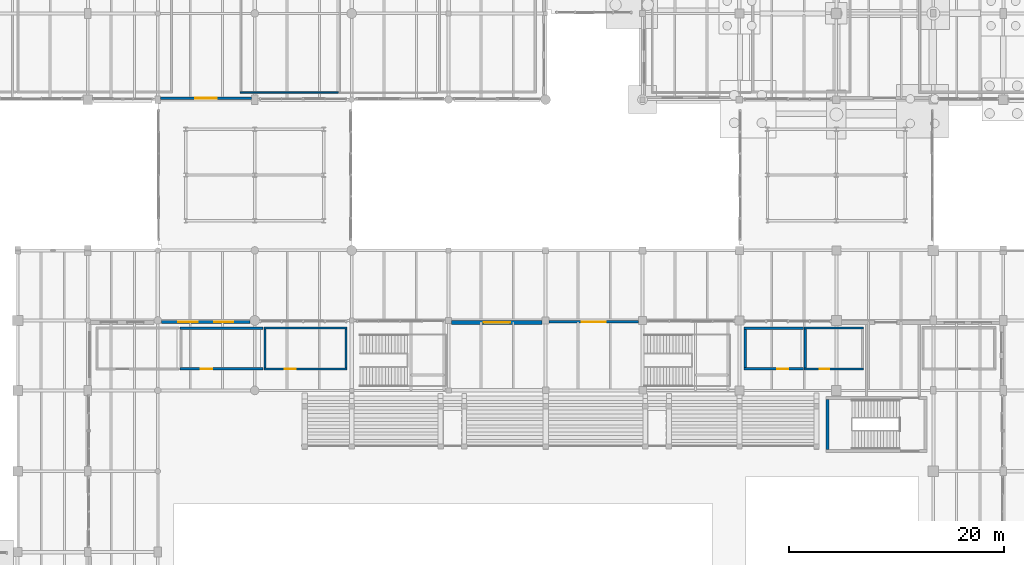
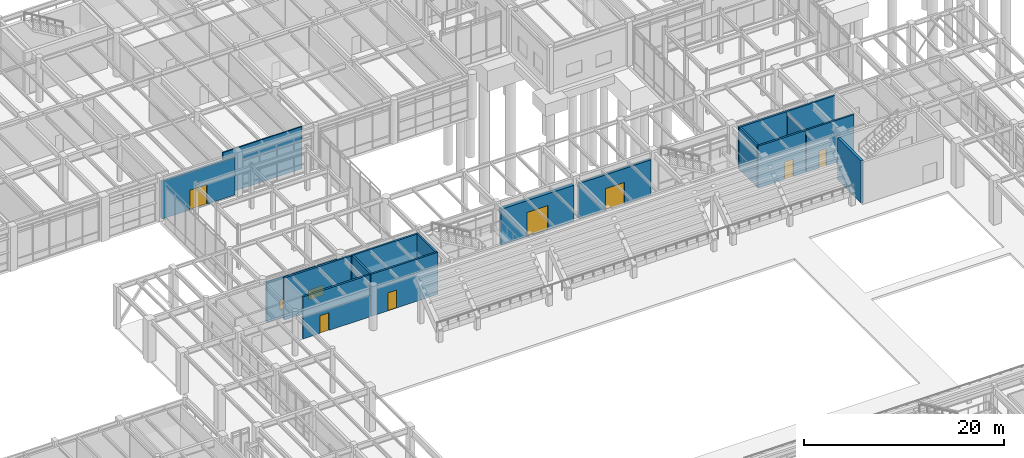
# One storey, part 176 of 203: 18 walls, 7 doors, 2 windows, 9 openings.
"""IFC4 building model written with IfcOpenShell, lengths in metres."""

from ifc_helpers import new_model, si_unit, direction, frame, frame_2d, origin, place, context, subcontext, project, spatial, rectangle, extrude, material, layer, layer_set, type_object, element, fill, save


model = new_model("IFC4")

# Units and contexts
model_context = context("Model", 3, precision=1e-05, world=origin(), true_north=direction((0.0, 1.0)))
body_context = subcontext(model_context, "Body", "Model", "MODEL_VIEW")
ifc_project = project(units=[si_unit("LENGTHUNIT", "METRE"), si_unit("AREAUNIT", "SQUARE_METRE"), si_unit("VOLUMEUNIT", "CUBIC_METRE"), si_unit("PLANEANGLEUNIT", "RADIAN"), si_unit("MASSUNIT", "GRAM", prefix="KILO"), si_unit("THERMODYNAMICTEMPERATUREUNIT", "KELVIN"), si_unit("POWERUNIT", "WATT")], contexts=[model_context])

# Site, building, storey
site_placement = place(None, origin())
site = spatial("IfcSite", under=ifc_project, at=site_placement, CompositionType="ELEMENT")
building_placement = place(site_placement, origin())
building = spatial("IfcBuilding", under=site, at=building_placement, Name="Tepalcoro Natatorium and Aquatics Centre", CompositionType="ELEMENT")
storey_placement = place(building_placement, origin())
storey = spatial("IfcBuildingStorey", under=building, at=storey_placement, Name="L00", CompositionType="ELEMENT", Elevation=0.0)

# Wall, opening, door
ifc_material_1 = material(Name="Precast Concrete C45/55 (fc 45 MPa)", Category="concrete")
ifc_layer_1 = layer(ifc_material_1, 0.260009765625)
ifc_layer_set_1 = layer_set([ifc_layer_1], Name="Precast Concrete C45/55 (fc 45 MPa)")
wall_type_1 = type_object("IfcWallType", Name="WL_EXT_GABLE_260", PredefinedType="SOLIDWALL", material=ifc_layer_set_1)
wall_1_placement = place(storey_placement, frame((89.3291015625, 65.3701171875, 0.0), z_axis=(0.0, 0.0, 1.0), x_axis=(1.0, 0.0, 0.0)))
wall_1 = element("IfcWall", 1, at=wall_1_placement, inside=storey, type_object=wall_type_1, Name="V1 L00 N Volcanic Basalt Envelope Wall", PredefinedType="SOLIDWALL", context=body_context, shape_type="SweptSolid", body=[
    extrude(rectangle(XDim=8.2919921875, YDim=0.260009765625, at=frame_2d((4.14599609375, 0.0))), origin(), (0.0, 0.0, 1.0), 4.2900390625),
])
opening_1_placement = place(wall_1_placement, frame((3.0458984375, 0.0, 0.0)))
opening_1 = element("IfcOpeningElement", 2, at=opening_1_placement, cuts=wall_1, Name="Opening ED5005", PredefinedType="OPENING", context=body_context, shape_type="SweptSolid", body=[
    extrude(rectangle(XDim=2.199951171875, YDim=2.60009765625, at=frame_2d((1.10009765625, 1.300048828125))), frame((0.0, 0.14208984375, 0.0), z_axis=(0.0, -1.0, 0.0), x_axis=(1.0, 0.0, 0.0)), (0.0, 0.0, 1.0), 0.283935546875),
])
ifc_material_2 = material(Name="Bronze-Anodised Extruded Aluminium Alloy EN AW-6063 T6", Category="aluminium")
door_type_1 = type_object("IfcDoorType", Name="DR_220x260_EXT", OperationType="NOTDEFINED", PredefinedType="DOOR", material=ifc_material_2)
door_1_placement = place(opening_1_placement, origin())
door_1 = element("IfcDoor", 3, at=door_1_placement, inside=storey, type_object=door_type_1, Name="North Courtyard Exit Portal", OperationType="DOUBLE_DOOR_SINGLE_SWING", OverallHeight=2.60009765625, OverallWidth=2.199951171875, PredefinedType="DOOR", context=body_context, shape_type="SweptSolid", body=[
    extrude(rectangle(XDim=2.199951171875, YDim=2.60009765625, at=frame_2d((1.10009765625, 1.300048828125))), frame((0.0, 0.02490234375, 0.0), z_axis=(0.0, -1.0, 0.0), x_axis=(1.0, 0.0, 0.0)), (0.0, 0.0, 1.0), 0.050048828125),
])
fill(opening_1, door_1)

wall_2_placement = place(storey_placement, frame((53.25390625, 86.1298828125, 0.0), z_axis=(0.0, 0.0, 1.0), x_axis=(1.0, 0.0, 0.0)))
wall_2 = element("IfcWall", 4, at=wall_2_placement, inside=storey, type_object=wall_type_1, Name="V4 L00 S Volcanic Basalt Envelope Wall", PredefinedType="SOLIDWALL", context=body_context, shape_type="SweptSolid", body=[
    extrude(rectangle(XDim=8.442138671875, YDim=0.260009765625, at=frame_2d((4.22119140625, 0.0))), origin(), (0.0, 0.0, 1.0), 4.593994140625),
])
opening_2_placement = place(wall_2_placement, frame((3.220947265625, 0.0, 0.0)))
opening_2 = element("IfcOpeningElement", 5, at=opening_2_placement, cuts=wall_2, Name="Opening ED5030", PredefinedType="OPENING", context=body_context, shape_type="SweptSolid", body=[
    extrude(rectangle(XDim=2.0, YDim=2.39990234375, at=frame_2d((1.0, 1.199951171875))), frame((0.0, 0.14208984375, 0.0), z_axis=(0.0, -1.0, 0.0), x_axis=(1.0, 0.0, 0.0)), (0.0, 0.0, 1.0), 0.283935546875),
])
door_type_2 = type_object("IfcDoorType", Name="DR_200x240_EXT", OperationType="NOTDEFINED", PredefinedType="DOOR", material=ifc_material_2)
door_2_placement = place(opening_2_placement, frame((2.0, 0.0, 0.0), z_axis=(0.0, 0.0, 1.0), x_axis=(-1.0, 0.0, 0.0)))
door_2 = element("IfcDoor", 6, at=door_2_placement, inside=storey, type_object=door_type_2, Name="V4 L00 South Courtyard Bridge Portal", OperationType="DOUBLE_DOOR_SINGLE_SWING", OverallHeight=2.39990234375, OverallWidth=2.0, PredefinedType="DOOR", context=body_context, shape_type="SweptSolid", body=[
    extrude(rectangle(XDim=2.0, YDim=2.39990234375, at=frame_2d((1.0, 1.199951171875))), frame((0.0, 0.02490234375, 0.0), z_axis=(0.0, -1.0, 0.0), x_axis=(1.0, 0.0, 0.0)), (0.0, 0.0, 1.0), 0.050048828125),
])
fill(opening_2, door_2)

# Wall, openings, windows
ifc_layer_2 = layer(ifc_material_1, 0.284912109375)
ifc_layer_set_2 = layer_set([ifc_layer_2], Name="Precast Concrete C45/55 (fc 45 MPa)")
wall_type_2 = type_object("IfcWallType", Name="WL_EXT_INSUL_280", PredefinedType="SOLIDWALL", material=ifc_layer_set_2)
wall_3_placement = place(storey_placement, frame((53.35400390625, 65.357421875, 0.0), z_axis=(0.0, 0.0, 1.0), x_axis=(1.0, 0.0, 0.0)))
wall_3 = element("IfcWall", 7, at=wall_3_placement, inside=storey, type_object=wall_type_2, Name="V1 L00 N Volcanic Basalt Envelope Wall", PredefinedType="SOLIDWALL", context=body_context, shape_type="SweptSolid", body=[
    extrude(rectangle(XDim=8.19189453125, YDim=0.284912109375, at=frame_2d((4.095947265625, 0.0))), origin(), (0.0, 0.0, 1.0), 4.764892578125),
])
opening_3_placement = place(wall_3_placement, frame((1.53076171875, 0.0, 0.949951171875)))
opening_3 = element("IfcOpeningElement", 8, at=opening_3_placement, cuts=wall_3, Name="Opening W0005A", PredefinedType="OPENING", context=body_context, shape_type="SweptSolid", body=[
    extrude(rectangle(XDim=1.800048828125, YDim=1.199951171875, at=frame_2d((0.89990234375, 0.60009765625))), frame((0.0, 0.154296875, 0.0), z_axis=(0.0, -1.0, 0.0), x_axis=(1.0, 0.0, 0.0)), (0.0, 0.0, 1.0), 0.308837890625),
])
opening_4_placement = place(wall_3_placement, frame((4.861328125, 0.0, 0.949951171875)))
opening_4 = element("IfcOpeningElement", 9, at=opening_4_placement, cuts=wall_3, Name="Opening W0005B", PredefinedType="OPENING", context=body_context, shape_type="SweptSolid", body=[
    extrude(rectangle(XDim=1.800048828125, YDim=1.199951171875, at=frame_2d((0.89990234375, 0.60009765625))), frame((0.0, 0.154296875, 0.0), z_axis=(0.0, -1.0, 0.0), x_axis=(1.0, 0.0, 0.0)), (0.0, 0.0, 1.0), 0.308837890625),
])
ifc_material_3 = material(Name="Solar-Control Bronze Tempered Low-E Double Glazing", Category="glass")
window_type = type_object("IfcWindowType", Name="WN_180x120", PartitioningType="SINGLE_PANEL", PredefinedType="WINDOW", material=ifc_material_3)
window_1_placement = place(opening_3_placement, origin())
window_1 = element("IfcWindow", 10, at=window_1_placement, inside=storey, type_object=window_type, Name="Exterior Thermal Window WN_180x120", OverallHeight=1.199951171875, OverallWidth=1.800048828125, PartitioningType="SINGLE_PANEL", PredefinedType="WINDOW", context=body_context, shape_type="SweptSolid", body=[
    extrude(rectangle(XDim=1.800048828125, YDim=1.199951171875, at=frame_2d((0.89990234375, 0.60009765625))), frame((0.0, 0.030029296875, 0.0), z_axis=(0.0, -1.0, 0.0), x_axis=(1.0, 0.0, 0.0)), (0.0, 0.0, 1.0), 0.06005859375),
])
fill(opening_3, window_1)
window_2_placement = place(opening_4_placement, origin())
window_2 = element("IfcWindow", 11, at=window_2_placement, inside=storey, type_object=window_type, Name="Exterior Thermal Window WN_180x120", OverallHeight=1.199951171875, OverallWidth=1.800048828125, PartitioningType="SINGLE_PANEL", PredefinedType="WINDOW", context=body_context, shape_type="SweptSolid", body=[
    extrude(rectangle(XDim=1.800048828125, YDim=1.199951171875, at=frame_2d((0.89990234375, 0.60009765625))), frame((0.0, 0.030029296875, 0.0), z_axis=(0.0, -1.0, 0.0), x_axis=(1.0, 0.0, 0.0)), (0.0, 0.0, 1.0), 0.06005859375),
])
fill(opening_4, window_2)

# Wall, opening, door
ifc_material_4 = material(Name="Volcanic Recinto Basalt Ashlar Masonry", Category="masonry")
ifc_layer_3 = layer(ifc_material_4, 0.360107421875)
ifc_layer_set_3 = layer_set([ifc_layer_3], Name="Volcanic Recinto Basalt Ashlar Masonry")
wall_type_3 = type_object("IfcWallType", Name="WL_EXT_STONE_350", PredefinedType="SOLIDWALL", material=ifc_layer_set_3)
wall_4_placement = place(storey_placement, frame((80.279052734375, 65.320068359375, 0.0), z_axis=(0.0, 0.0, 1.0), x_axis=(1.0, 0.0, 0.0)))
wall_4 = element("IfcWall", 12, at=wall_4_placement, inside=storey, type_object=wall_type_3, Name="V1 L00 N Volcanic Basalt Envelope Wall", PredefinedType="SOLIDWALL", context=body_context, shape_type="SweptSolid", body=[
    extrude(rectangle(XDim=8.391845703125, YDim=0.360107421875, at=frame_2d((4.19580078125, 0.0))), origin(), (0.0, 0.0, 1.0), 4.382080078125),
])
opening_5_placement = place(wall_4_placement, frame((2.970947265625, 0.0, 0.0)))
opening_5 = element("IfcOpeningElement", 13, at=opening_5_placement, cuts=wall_4, Name="Opening ED5004", PredefinedType="OPENING", context=body_context, shape_type="SweptSolid", body=[
    extrude(rectangle(XDim=2.449951171875, YDim=2.949951171875, at=frame_2d((1.22509765625, 1.47509765625))), frame((0.0, 0.19189453125, 0.0), z_axis=(0.0, -1.0, 0.0), x_axis=(1.0, 0.0, 0.0)), (0.0, 0.0, 1.0), 0.384033203125),
])
door_type_3 = type_object("IfcDoorType", Name="DR_245x300_FOYER", OperationType="NOTDEFINED", PredefinedType="DOOR", material=ifc_material_2)
door_3_placement = place(opening_5_placement, origin())
door_3 = element("IfcDoor", 14, at=door_3_placement, inside=storey, type_object=door_type_3, Name="North Courtyard Civic Portal", OperationType="DOUBLE_DOOR_SINGLE_SWING", OverallHeight=2.949951171875, OverallWidth=2.449951171875, PredefinedType="DOOR", context=body_context, shape_type="SweptSolid", body=[
    extrude(rectangle(XDim=2.449951171875, YDim=2.949951171875, at=frame_2d((1.22509765625, 1.47509765625))), frame((0.0, 0.02490234375, 0.0), z_axis=(0.0, -1.0, 0.0), x_axis=(1.0, 0.0, 0.0)), (0.0, 0.0, 1.0), 0.050048828125),
])
fill(opening_5, door_3)

# Wall
ifc_material_5 = material(Name="Moisture-Resistant Acoustic Gypsum Drywall on Cold-Formed Metal Studs")
ifc_layer_4 = layer(ifc_material_5, 0.14990234375)
ifc_layer_set_4 = layer_set([ifc_layer_4], Name="Moisture-Resistant Acoustic Gypsum Drywall on Cold-Formed Metal Studs")
wall_type_4 = type_object("IfcWallType", Name="WL_PART_150_AC", PredefinedType="PARTITIONING", material=ifc_layer_set_4)
wall_5_placement = place(storey_placement, frame((60.639892578125, 86.675048828125, 0.0), z_axis=(0.0, 0.0, 1.0), x_axis=(1.0, 0.0, 0.0)))
element("IfcWall", 15, at=wall_5_placement, inside=storey, type_object=wall_type_4, Name="School Swim Group Changing Village Partition S", PredefinedType="PARTITIONING", context=body_context, shape_type="SweptSolid", body=[
    extrude(rectangle(XDim=9.1201171875, YDim=0.14990234375, at=frame_2d((4.56005859375, 0.0))), origin(), (0.0, 0.0, 1.0), 5.14501953125),
])

# Wall, opening, door
ifc_material_6 = material(Name="Ceramic-Tiled Moisture-Resistant Masonry Blockwork", Category="masonry")
ifc_layer_5 = layer(ifc_material_6, 0.199951171875)
ifc_layer_set_5 = layer_set([ifc_layer_5], Name="Ceramic-Tiled Moisture-Resistant Masonry Blockwork")
wall_type_5 = type_object("IfcWallType", Name="WL_PLUMB_200", PredefinedType="PLUMBINGWALL", material=ifc_layer_set_5)
wall_6_placement = place(storey_placement, frame((113.014892578125, 61.0, 0.0), z_axis=(0.0, 0.0, 1.0), x_axis=(1.0, 0.0, 0.0)))
wall_6 = element("IfcWall", 16, at=wall_6_placement, inside=storey, type_object=wall_type_5, Name="Pre-Swim Cleansing Showers & Accessible Changing East Partition S", PredefinedType="PLUMBINGWALL", context=body_context, shape_type="SweptSolid", body=[
    extrude(rectangle(XDim=5.4951171875, YDim=0.199951171875, at=frame_2d((2.74755859375, 0.0))), origin(), (0.0, 0.0, 1.0), 5.125),
])
opening_6_placement = place(wall_6_placement, frame((1.423828125, 0.0, 0.0)))
opening_6 = element("IfcOpeningElement", 17, at=opening_6_placement, cuts=wall_6, Name="Opening D0083", PredefinedType="OPENING", context=body_context, shape_type="SweptSolid", body=[
    extrude(rectangle(XDim=0.89990234375, YDim=2.10009765625, at=frame_2d((0.449951171875, 1.050048828125))), frame((0.0, 0.11181640625, 0.0), z_axis=(0.0, -1.0, 0.0), x_axis=(1.0, 0.0, 0.0)), (0.0, 0.0, 1.0), 0.223876953125),
])
ifc_material_7 = material(Name="Solid-Core Moisture-Sealed Oak Timber Leaf in Aluminium Frame", Category="wood")
door_type_4 = type_object("IfcDoorType", Name="DR_095x215_WC", OperationType="NOTDEFINED", PredefinedType="DOOR", material=ifc_material_7)
door_4_placement = place(opening_6_placement, origin())
door_4 = element("IfcDoor", 18, at=door_4_placement, inside=storey, type_object=door_type_4, Name="Pre-Swim Cleansing Showers & Accessible Changing East Door", OperationType="SINGLE_SWING_LEFT", OverallHeight=2.10009765625, OverallWidth=0.89990234375, PredefinedType="DOOR", context=body_context, shape_type="SweptSolid", body=[
    extrude(rectangle(XDim=0.89990234375, YDim=2.10009765625, at=frame_2d((0.449951171875, 1.050048828125))), frame((0.0, 0.02490234375, 0.0), z_axis=(0.0, -1.0, 0.0), x_axis=(1.0, 0.0, 0.0)), (0.0, 0.0, 1.0), 0.050048828125),
])
fill(opening_6, door_4)

# Walls
wall_7_placement = place(storey_placement, frame((113.014892578125, 64.800048828125, 0.0), z_axis=(0.0, 0.0, 1.0), x_axis=(1.0, 0.0, 0.0)))
element("IfcWall", 19, at=wall_7_placement, inside=storey, type_object=wall_type_5, Name="Pre-Swim Cleansing Showers & Accessible Changing East Partition N", PredefinedType="PLUMBINGWALL", context=body_context, shape_type="SweptSolid", body=[
    extrude(rectangle(XDim=5.4951171875, YDim=0.199951171875, at=frame_2d((2.74755859375, 0.0))), origin(), (0.0, 0.0, 1.0), 5.125),
])
wall_8_placement = place(storey_placement, frame((113.114990234375, 61.10009765625, 0.0), z_axis=(0.0, 0.0, 1.0), x_axis=(0.0, 1.0, 0.0)))
element("IfcWall", 20, at=wall_8_placement, inside=storey, type_object=wall_type_5, Name="Pre-Swim Cleansing Showers & Accessible Changing East Partition W", PredefinedType="PLUMBINGWALL", context=body_context, shape_type="SweptSolid", body=[
    extrude(rectangle(XDim=3.599853515625, YDim=0.199951171875, at=frame_2d((1.7998046875, 0.0))), origin(), (0.0, 0.0, 1.0), 4.666015625),
])

# Wall, opening, door
ifc_layer_6 = layer(ifc_material_6, 0.219970703125)
ifc_layer_set_6 = layer_set([ifc_layer_6], Name="Ceramic-Tiled Moisture-Resistant Masonry Blockwork")
wall_type_6 = type_object("IfcWallType", Name="WL_PLUMB_220", PredefinedType="PLUMBINGWALL", material=ifc_layer_set_6)
wall_9_placement = place(storey_placement, frame((55.0400390625, 61.010009765625, 0.0), z_axis=(0.0, 0.0, 1.0), x_axis=(1.0, 0.0, 0.0)))
wall_9 = element("IfcWall", 21, at=wall_9_placement, inside=storey, type_object=wall_type_6, Name="Pre-Swim Cleansing Showers & Footbath West Partition S", PredefinedType="PLUMBINGWALL", context=body_context, shape_type="SweptSolid", body=[
    extrude(rectangle(XDim=7.719970703125, YDim=0.219970703125, at=frame_2d((3.85986328125, 0.0))), origin(), (0.0, 0.0, 1.0), 5.125),
])
opening_7_placement = place(wall_9_placement, frame((1.9423828125, 0.0, 0.0)))
opening_7 = element("IfcOpeningElement", 22, at=opening_7_placement, cuts=wall_9, Name="Opening D0080", PredefinedType="OPENING", context=body_context, shape_type="SweptSolid", body=[
    extrude(rectangle(XDim=1.050048828125, YDim=2.14990234375, at=frame_2d((0.52490234375, 1.074951171875))), frame((0.0, 0.1220703125, 0.0), z_axis=(0.0, -1.0, 0.0), x_axis=(1.0, 0.0, 0.0)), (0.0, 0.0, 1.0), 0.243896484375),
])
door_type_5 = type_object("IfcDoorType", Name="DR_105x215_ACC", OperationType="NOTDEFINED", PredefinedType="DOOR", material=ifc_material_7)
door_5_placement = place(opening_7_placement, origin())
door_5 = element("IfcDoor", 23, at=door_5_placement, inside=storey, type_object=door_type_5, Name="Pre-Swim Cleansing Showers & Footbath West Door", OperationType="SINGLE_SWING_RIGHT", OverallHeight=2.14990234375, OverallWidth=1.050048828125, PredefinedType="DOOR", context=body_context, shape_type="SweptSolid", body=[
    extrude(rectangle(XDim=1.050048828125, YDim=2.14990234375, at=frame_2d((0.52490234375, 1.074951171875))), frame((0.0, 0.02490234375, 0.0), z_axis=(0.0, -1.0, 0.0), x_axis=(1.0, 0.0, 0.0)), (0.0, 0.0, 1.0), 0.050048828125),
])
fill(opening_7, door_5)

# Wall
wall_10_placement = place(storey_placement, frame((55.0400390625, 64.7900390625, 0.0), z_axis=(0.0, 0.0, 1.0), x_axis=(1.0, 0.0, 0.0)))
element("IfcWall", 24, at=wall_10_placement, inside=storey, type_object=wall_type_6, Name="Pre-Swim Cleansing Showers & Footbath West Partition N", PredefinedType="PLUMBINGWALL", context=body_context, shape_type="SweptSolid", body=[
    extrude(rectangle(XDim=7.719970703125, YDim=0.219970703125, at=frame_2d((3.85986328125, 0.0))), origin(), (0.0, 0.0, 1.0), 5.125),
])

# Wall, opening, door
wall_11_placement = place(storey_placement, frame((107.43994140625, 61.010009765625, 0.0), z_axis=(0.0, 0.0, 1.0), x_axis=(1.0, 0.0, 0.0)))
wall_11 = element("IfcWall", 25, at=wall_11_placement, inside=storey, type_object=wall_type_6, Name="Team Wet Changing Village East & Lockers Partition S", PredefinedType="PLUMBINGWALL", context=body_context, shape_type="SweptSolid", body=[
    extrude(rectangle(XDim=5.4951171875, YDim=0.219970703125, at=frame_2d((2.74755859375, 0.0))), origin(), (0.0, 0.0, 1.0), 5.125),
])
opening_8_placement = place(wall_11_placement, frame((3.058837890625, 0.0, 0.0)))
opening_8 = element("IfcOpeningElement", 26, at=opening_8_placement, cuts=wall_11, Name="Opening D0082", PredefinedType="OPENING", context=body_context, shape_type="SweptSolid", body=[
    extrude(rectangle(XDim=1.050048828125, YDim=2.14990234375, at=frame_2d((0.52490234375, 1.074951171875))), frame((0.0, 0.1220703125, 0.0), z_axis=(0.0, -1.0, 0.0), x_axis=(1.0, 0.0, 0.0)), (0.0, 0.0, 1.0), 0.243896484375),
])
door_6_placement = place(opening_8_placement, origin())
door_6 = element("IfcDoor", 27, at=door_6_placement, inside=storey, type_object=door_type_5, Name="Team Wet Changing Village East & Lockers Door", OperationType="SINGLE_SWING_RIGHT", OverallHeight=2.14990234375, OverallWidth=1.050048828125, PredefinedType="DOOR", context=body_context, shape_type="SweptSolid", body=[
    extrude(rectangle(XDim=1.050048828125, YDim=2.14990234375, at=frame_2d((0.52490234375, 1.074951171875))), frame((0.0, 0.02490234375, 0.0), z_axis=(0.0, -1.0, 0.0), x_axis=(1.0, 0.0, 0.0)), (0.0, 0.0, 1.0), 0.050048828125),
])
fill(opening_8, door_6)

# Walls
wall_12_placement = place(storey_placement, frame((107.43994140625, 64.7900390625, 0.0), z_axis=(0.0, 0.0, 1.0), x_axis=(1.0, 0.0, 0.0)))
element("IfcWall", 28, at=wall_12_placement, inside=storey, type_object=wall_type_6, Name="Team Wet Changing Village East & Lockers Partition N", PredefinedType="PLUMBINGWALL", context=body_context, shape_type="SweptSolid", body=[
    extrude(rectangle(XDim=5.4951171875, YDim=0.219970703125, at=frame_2d((2.74755859375, 0.0))), origin(), (0.0, 0.0, 1.0), 5.125),
])
wall_13_placement = place(storey_placement, frame((107.550048828125, 61.1201171875, 0.0), z_axis=(0.0, 0.0, 1.0), x_axis=(0.0, 1.0, 0.0)))
element("IfcWall", 29, at=wall_13_placement, inside=storey, type_object=wall_type_6, Name="Team Wet Changing Village East & Lockers Partition W", PredefinedType="PLUMBINGWALL", context=body_context, shape_type="SweptSolid", body=[
    extrude(rectangle(XDim=3.559814453125, YDim=0.219970703125, at=frame_2d((1.77978515625, 0.0))), origin(), (0.0, 0.0, 1.0), 5.125),
])
ifc_material_8 = material(Name="Concrete C40/50 (fc 40 MPa)", Category="concrete")
ifc_layer_7 = layer(ifc_material_8, 0.280029296875)
ifc_layer_set_7 = layer_set([ifc_layer_7], Name="Concrete C40/50 (fc 40 MPa)")
wall_type_7 = type_object("IfcWallType", Name="WL_SHEAR_280", PredefinedType="SHEAR", material=ifc_layer_set_7)
wall_14_placement = place(storey_placement, frame((115.18994140625, 53.530029296875, 0.0), z_axis=(0.0, 0.0, 1.0), x_axis=(0.0, 1.0, 0.0)))
element("IfcWall", 30, at=wall_14_placement, inside=storey, type_object=wall_type_7, Name="ST02 Core Shear Wall W L00", PredefinedType="SHEAR", context=body_context, shape_type="SweptSolid", body=[
    extrude(rectangle(XDim=4.639892578125, YDim=0.280029296875, at=frame_2d((2.31982421875, 0.0))), origin(), (0.0, 0.0, 1.0), 5.139892578125),
])

# Wall, opening, door
ifc_material_9 = material(Name="Concrete C35/45 (fc 35 MPa)", Category="concrete")
ifc_layer_8 = layer(ifc_material_9, 0.205078125)
ifc_layer_set_8 = layer_set([ifc_layer_8], Name="Concrete C35/45 (fc 35 MPa)")
wall_type_8 = type_object("IfcWallType", Name="WL_SOLID_200_FR120", PredefinedType="SOLIDWALL", material=ifc_layer_set_8)
wall_15_placement = place(storey_placement, frame((62.840087890625, 61.00244140625, 0.0), z_axis=(0.0, 0.0, 1.0), x_axis=(1.0, 0.0, 0.0)))
wall_15 = element("IfcWall", 31, at=wall_15_placement, inside=storey, type_object=wall_type_8, Name="Competition Lane-Line & Starting-Block Store Partition S", PredefinedType="SOLIDWALL", context=body_context, shape_type="SweptSolid", body=[
    extrude(rectangle(XDim=7.719970703125, YDim=0.205078125, at=frame_2d((3.85986328125, 0.0))), origin(), (0.0, 0.0, 1.0), 5.125),
])
opening_9_placement = place(wall_15_placement, frame((1.949951171875, 0.0, 0.0)))
opening_9 = element("IfcOpeningElement", 32, at=opening_9_placement, cuts=wall_15, Name="Opening D0081", PredefinedType="OPENING", context=body_context, shape_type="SweptSolid", body=[
    extrude(rectangle(XDim=1.02001953125, YDim=2.199951171875, at=frame_2d((0.510009765625, 1.10009765625))), frame((0.0, 0.114501953125, 0.0), z_axis=(0.0, -1.0, 0.0), x_axis=(1.0, 0.0, 0.0)), (0.0, 0.0, 1.0), 0.22900390625),
])
ifc_material_10 = material(Name="Galvanised Steel Insulated Acoustic Fire Door Assembly", Category="steel")
door_type_6 = type_object("IfcDoorType", Name="DR_100x220_FD90", OperationType="NOTDEFINED", PredefinedType="DOOR", material=ifc_material_10)
door_7_placement = place(opening_9_placement, origin())
door_7 = element("IfcDoor", 33, at=door_7_placement, inside=storey, type_object=door_type_6, Name="Competition Lane-Line & Starting-Block Store Door", OperationType="SINGLE_SWING_LEFT", OverallHeight=2.199951171875, OverallWidth=1.02001953125, PredefinedType="DOOR", context=body_context, shape_type="SweptSolid", body=[
    extrude(rectangle(XDim=1.02001953125, YDim=2.199951171875, at=frame_2d((0.510009765625, 1.10009765625))), frame((0.0, 0.02490234375, 0.0), z_axis=(0.0, -1.0, 0.0), x_axis=(1.0, 0.0, 0.0)), (0.0, 0.0, 1.0), 0.050048828125),
])
fill(opening_9, door_7)

# Walls
wall_16_placement = place(storey_placement, frame((62.840087890625, 64.797607421875, 0.0), z_axis=(0.0, 0.0, 1.0), x_axis=(1.0, 0.0, 0.0)))
element("IfcWall", 34, at=wall_16_placement, inside=storey, type_object=wall_type_8, Name="Competition Lane-Line & Starting-Block Store Partition N", PredefinedType="SOLIDWALL", context=body_context, shape_type="SweptSolid", body=[
    extrude(rectangle(XDim=7.719970703125, YDim=0.205078125, at=frame_2d((3.85986328125, 0.0))), origin(), (0.0, 0.0, 1.0), 5.125),
])
for number, where, z_axis, x_axis, name in (
    (35, (70.45751953125, 61.10498046875, 0.0), (0.0, 0.0, 1.0), (0.0, 1.0, 0.0), "Competition Lane-Line & Starting-Block Store Partition E"),
    (36, (62.9423828125, 61.10498046875, 0.0), (0.0, 0.0, 1.0), (0.0, 1.0, 0.0), "Competition Lane-Line & Starting-Block Store Partition W"),
):
    element("IfcWall", number, at=place(storey_placement, frame(where, z_axis=z_axis, x_axis=x_axis)), inside=storey, type_object=wall_type_8, Name=name, PredefinedType="SOLIDWALL", context=body_context, shape_type="SweptSolid", body=[
        extrude(rectangle(XDim=3.590087890625, YDim=0.205078125, at=frame_2d((1.794921875, 0.0))), origin(), (0.0, 0.0, 1.0), 5.125),
    ])

save(model, "model.ifc")
